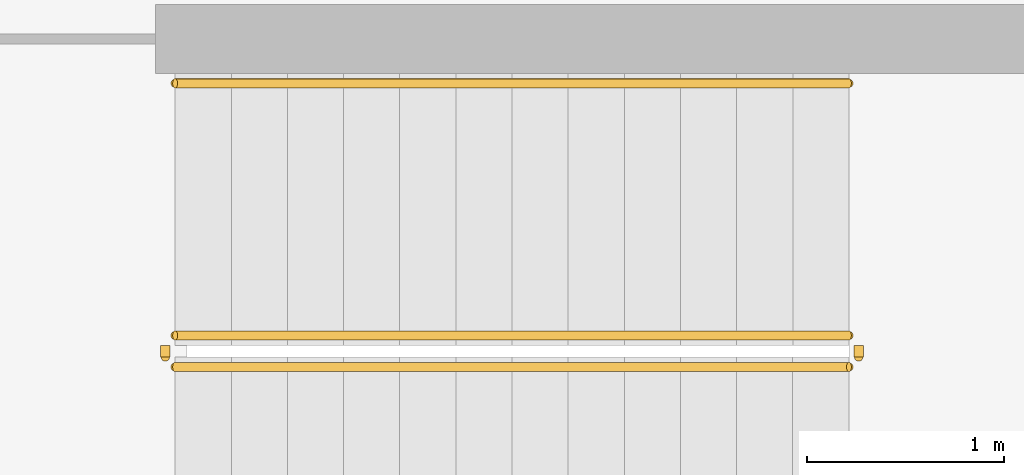
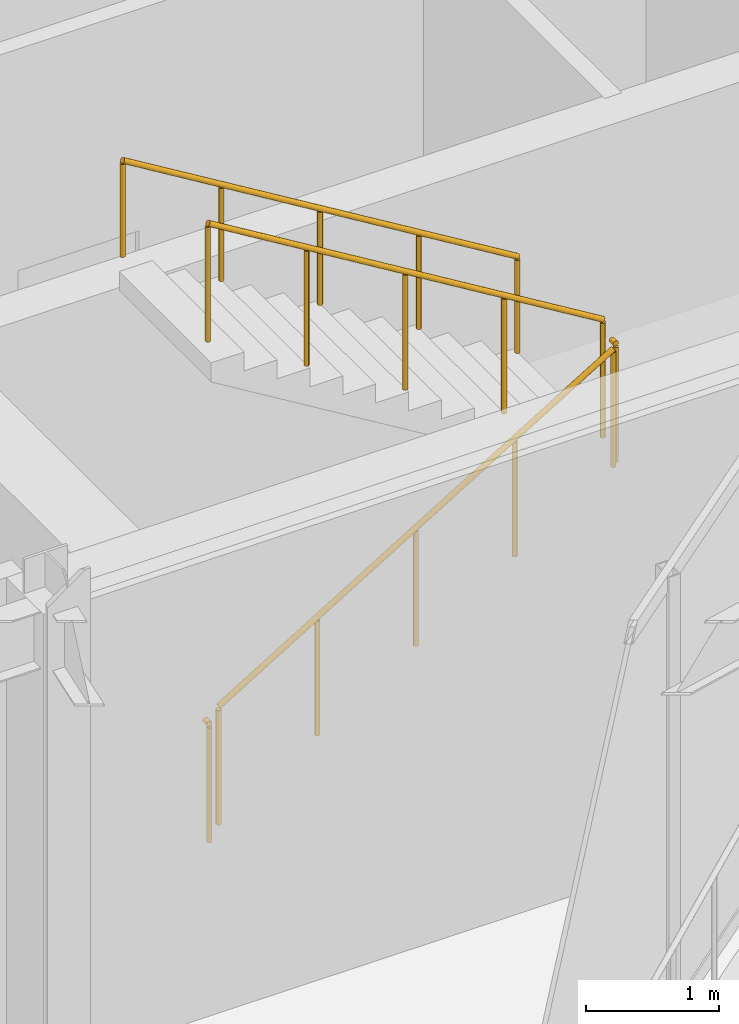
# One storey, part 11 of 14: 5 railings.
"""IFC4 building model written with IfcOpenShell, lengths in metres."""

from ifc_helpers import new_model, si_unit, direction, frame, origin, origin_2d, place, context, subcontext, project, spatial, circle, extrude, material, type_object, element, save


model = new_model("IFC4")

# Units and contexts
model_context = context("Model", 3, precision=1e-05, world=origin(), true_north=direction((0.0, 1.0)))
body_context = subcontext(model_context, "Body", "Model", "MODEL_VIEW")
ifc_project = project(units=[si_unit("LENGTHUNIT", "METRE"), si_unit("AREAUNIT", "SQUARE_METRE"), si_unit("VOLUMEUNIT", "CUBIC_METRE"), si_unit("PLANEANGLEUNIT", "RADIAN"), si_unit("MASSUNIT", "GRAM", prefix="KILO")], contexts=[model_context])

# Site, building, storey
site_placement = place(None, origin())
site = spatial("IfcSite", under=ifc_project, at=site_placement, CompositionType="ELEMENT")
building_placement = place(site_placement, origin())
building = spatial("IfcBuilding", under=site, at=building_placement, Name="Veymaron Broadcast Tower", CompositionType="ELEMENT")
storey_placement = place(building_placement, frame((0.0, 0.0, 332.39990234375)))
storey = spatial("IfcBuildingStorey", under=building, at=storey_placement, Name="L78", CompositionType="ELEMENT", Elevation=332.39990234375)

# Railings
ifc_material_1 = material(Name="Brushed stainless steel AISI 304", Category="steel")
railing_type_1 = type_object("IfcRailingType", Name="RAIL-STAIR-HR", PredefinedType="HANDRAIL", material=ifc_material_1)
railing_1_placement = place(storey_placement, frame((44.85009765625, 19.219970703125, 2.423095703125)))
element("IfcRailing", 1, at=railing_1_placement, inside=storey, type_object=railing_type_1, Name="L78 ST2 stair handrail 2", PredefinedType="HANDRAIL", context=body_context, shape_type="SweptSolid", body=[
    extrude(circle(Radius=0.02392578125, at=origin_2d()), frame((0.0, 0.0, 0.8759765625), z_axis=(-0.854745945586, 0.0, 0.519046595696), x_axis=(0.0, -1.0, 0.0)), (0.0, 0.0, 1.0), 4.00146484375),
    extrude(circle(Radius=0.02099609375, at=origin_2d()), origin(), (0.0, 0.0, 1.0), 0.851806640625),
    extrude(circle(Radius=0.02099609375, at=origin_2d()), frame((-0.85498046875, 0.0, 0.519287109375)), (0.0, 0.0, 1.0), 0.851806640625),
    extrude(circle(Radius=0.02099609375, at=origin_2d()), frame((-1.7099609375, 0.0, 1.03857421875)), (0.0, 0.0, 1.0), 0.851806640625),
    extrude(circle(Radius=0.02099609375, at=origin_2d()), frame((-2.565185546875, 0.0, 1.5576171875)), (0.0, 0.0, 1.0), 0.851806640625),
    extrude(circle(Radius=0.02099609375, at=origin_2d()), frame((-3.420166015625, 0.0, 2.076904296875)), (0.0, 0.0, 1.0), 0.851806640625),
])
ifc_material_2 = material(Name="Painted galvanized steel balustrade", Category="steel")
railing_type_2 = type_object("IfcRailingType", Name="RAIL-WELL-GRD", PredefinedType="GUARDRAIL", material=ifc_material_2)
railing_2_placement = place(storey_placement, frame((41.429931640625, 17.780029296875, 0.173095703125)))
element("IfcRailing", 2, at=railing_2_placement, inside=storey, type_object=railing_type_2, Name="L78 ST2 stair guard 1", PredefinedType="GUARDRAIL", context=body_context, shape_type="SweptSolid", body=[
    extrude(circle(Radius=0.02392578125, at=origin_2d()), frame((0.0, 0.0, 1.076171875), z_axis=(0.854745945586, 0.0, 0.519046595696), x_axis=(0.0, 1.0, 0.0)), (0.0, 0.0, 1.0), 4.00146484375),
    extrude(circle(Radius=0.02099609375, at=origin_2d()), origin(), (0.0, 0.0, 1.0), 1.052001953125),
    extrude(circle(Radius=0.02099609375, at=origin_2d()), frame((0.85498046875, 0.0, 0.519287109375)), (0.0, 0.0, 1.0), 1.052001953125),
    extrude(circle(Radius=0.02099609375, at=origin_2d()), frame((1.7099609375, 0.0, 1.03857421875)), (0.0, 0.0, 1.0), 1.052001953125),
    extrude(circle(Radius=0.02099609375, at=origin_2d()), frame((2.565185546875, 0.0, 1.5576171875)), (0.0, 0.0, 1.0), 1.052001953125),
    extrude(circle(Radius=0.02099609375, at=origin_2d()), frame((3.420166015625, 0.0, 2.076904296875)), (0.0, 0.0, 1.0), 1.052001953125),
])
railing_3_placement = place(storey_placement, frame((44.89990234375, 17.830078125, 2.25)))
element("IfcRailing", 3, at=railing_3_placement, inside=storey, type_object=railing_type_2, Name="L78 ST2 stair guard 2", PredefinedType="GUARDRAIL", context=body_context, shape_type="SweptSolid", body=[
    extrude(circle(Radius=0.02392578125, at=origin_2d()), frame((0.0, 0.0, 1.076171875), z_axis=(0.0, 1.0, 0.0), x_axis=(-1.0, 0.0, 0.0)), (0.0, 0.0, 1.0), 0.059814453125),
    extrude(circle(Radius=0.02099609375, at=origin_2d()), origin(), (0.0, 0.0, 1.0), 1.052001953125),
])
railing_4_placement = place(storey_placement, frame((44.85009765625, 17.93994140625, 2.423095703125)))
element("IfcRailing", 4, at=railing_4_placement, inside=storey, type_object=railing_type_2, Name="L78 ST2 stair guard 3", PredefinedType="GUARDRAIL", context=body_context, shape_type="SweptSolid", body=[
    extrude(circle(Radius=0.02392578125, at=origin_2d()), frame((0.0, 0.0, 1.076171875), z_axis=(-0.854745945586, 0.0, 0.519046595696), x_axis=(0.0, -1.0, 0.0)), (0.0, 0.0, 1.0), 4.00146484375),
    extrude(circle(Radius=0.02099609375, at=origin_2d()), origin(), (0.0, 0.0, 1.0), 1.052001953125),
    extrude(circle(Radius=0.02099609375, at=origin_2d()), frame((-0.85498046875, 0.0, 0.519287109375)), (0.0, 0.0, 1.0), 1.052001953125),
    extrude(circle(Radius=0.02099609375, at=origin_2d()), frame((-1.7099609375, 0.0, 1.03857421875)), (0.0, 0.0, 1.0), 1.052001953125),
    extrude(circle(Radius=0.02099609375, at=origin_2d()), frame((-2.565185546875, 0.0, 1.5576171875)), (0.0, 0.0, 1.0), 1.052001953125),
    extrude(circle(Radius=0.02099609375, at=origin_2d()), frame((-3.420166015625, 0.0, 2.076904296875)), (0.0, 0.0, 1.0), 1.052001953125),
])
railing_5_placement = place(storey_placement, frame((41.3798828125, 17.830078125, 0.0)))
element("IfcRailing", 5, at=railing_5_placement, inside=storey, type_object=railing_type_2, Name="L78 ST2 stair guard 4", PredefinedType="GUARDRAIL", context=body_context, shape_type="SweptSolid", body=[
    extrude(circle(Radius=0.02392578125, at=origin_2d()), frame((0.0, 0.0, 1.076171875), z_axis=(0.0, 1.0, 0.0), x_axis=(-1.0, 0.0, 0.0)), (0.0, 0.0, 1.0), 0.059814453125),
    extrude(circle(Radius=0.02099609375, at=origin_2d()), origin(), (0.0, 0.0, 1.0), 1.052001953125),
])

save(model, "model.ifc")
